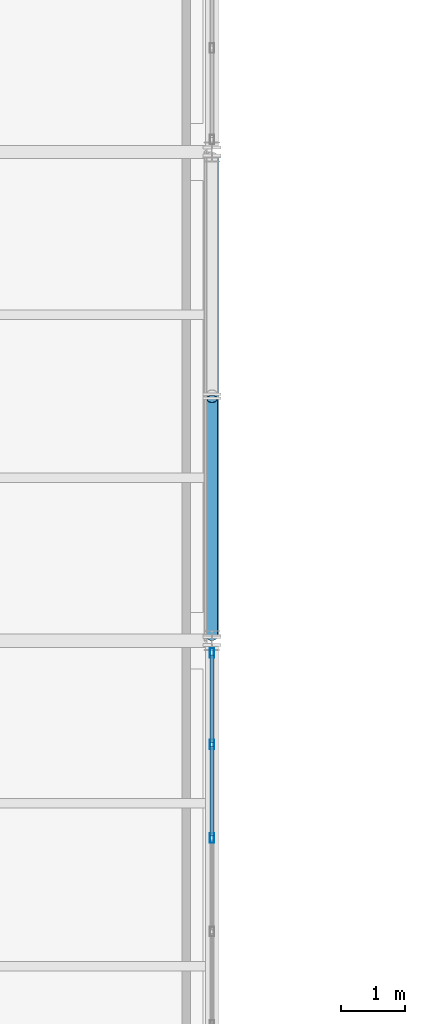
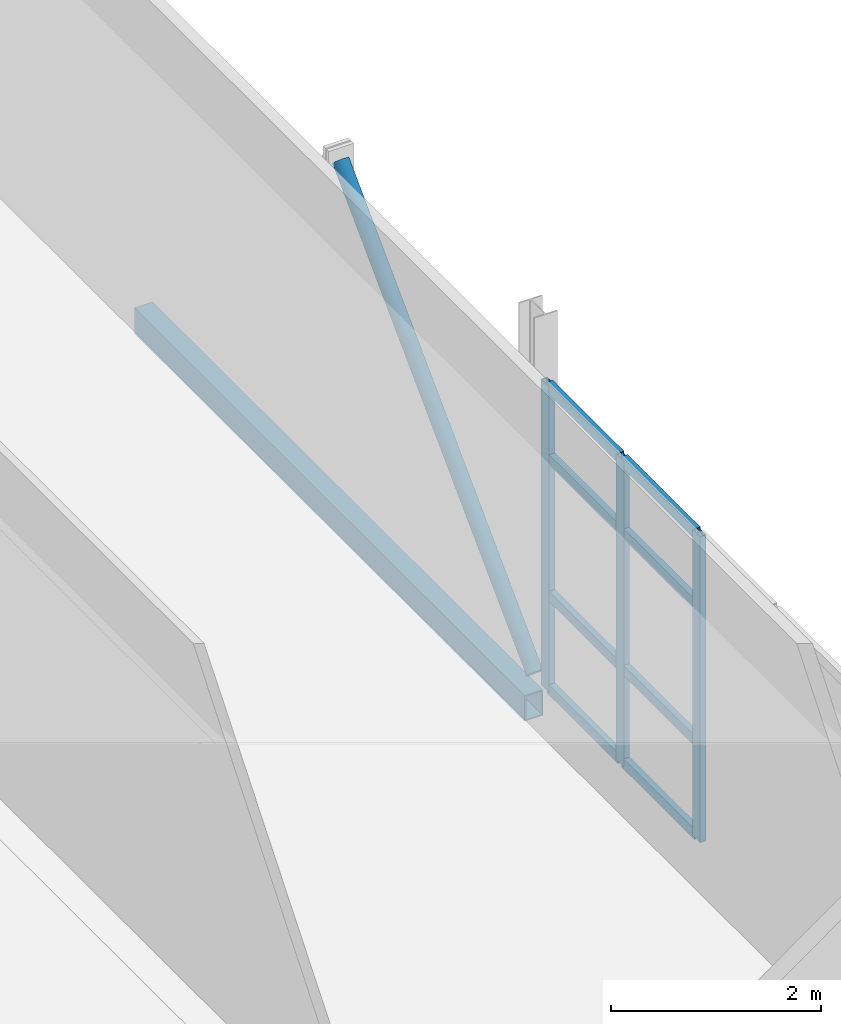
# One storey, part 60 of 96: 12 members, 1 beam, 1 element without a shape of its own.
"""IFC4 building model written with IfcOpenShell, lengths in metres."""

from ifc_helpers import new_model, si_unit, direction, frame, origin, origin_2d, place, context, subcontext, project, spatial, hollow_rectangle, hollow_circle, extrude, material, material_profile, profile_set, type_object, element, aggregate, save


model = new_model("IFC4")

# Units and contexts
model_context = context("Model", 3, precision=1e-05, world=origin(), true_north=direction((0.0, 1.0)))
body_context = subcontext(model_context, "Body", "Model", "MODEL_VIEW")
ifc_project = project(units=[si_unit("LENGTHUNIT", "METRE"), si_unit("AREAUNIT", "SQUARE_METRE"), si_unit("VOLUMEUNIT", "CUBIC_METRE"), si_unit("PLANEANGLEUNIT", "RADIAN"), si_unit("MASSUNIT", "GRAM", prefix="KILO")], contexts=[model_context])

# Site, building, storey
site_placement = place(None, origin())
site = spatial("IfcSite", under=ifc_project, at=site_placement, CompositionType="ELEMENT")
building_placement = place(site_placement, origin())
building = spatial("IfcBuilding", under=site, at=building_placement, Name="Caisbarro Railhouse Central Library", CompositionType="ELEMENT")
storey_placement = place(building_placement, frame((0.0, 0.0, 13.679931640625)))
storey = spatial("IfcBuildingStorey", under=building, at=storey_placement, Name="L03", CompositionType="ELEMENT", Elevation=13.679931640625)

# Beam
ifc_material_1 = material(Name="Steel ASTM A572 Grade 50", Category="steel")
ifc_material_profile_1 = material_profile(ifc_material_1, hollow_rectangle(XDim=0.199951171875, YDim=0.300048828125, WallThickness=0.012451171875, at=origin_2d()), Name="HSS300X200X12.5")
ifc_profile_set_1 = profile_set([ifc_material_profile_1], Name="Steel ASTM A572 Grade 50")
beam_type = type_object("IfcBeamType", Name="BM-SP02", PredefinedType="SPANDREL", material=ifc_profile_set_1)
beam_placement = place(storey_placement, frame((153.0, 76.080078125, -0.369873046875), z_axis=(0.0, 1.0, 0.0), x_axis=(-1.0, 0.0, 0.0)))
element("IfcBeam", 1, at=beam_placement, inside=storey, type_object=beam_type, Name="SP02 beam L03 #1904", PredefinedType="SPANDREL", context=body_context, shape_type="SweptSolid", body=[
    extrude(hollow_rectangle(XDim=0.199951171875, YDim=0.300048828125, WallThickness=0.012451171875, at=origin_2d()), origin(), (0.0, 0.0, 1.0), 7.43994140625),
])

# Curtain wall, members
ifc_material_2 = material(Name="Anodised architectural aluminium", Category="aluminium")
curtain_wall_type = type_object("IfcCurtainWallType", Name="CW-CW03", PredefinedType="NOTDEFINED", material=ifc_material_2)
curtain_wall_placement = place(storey_placement, origin())
curtain_wall = element("IfcCurtainWall", 2, at=curtain_wall_placement, inside=storey, type_object=curtain_wall_type, Name="CW03 curtain wall L03 #151", PredefinedType="NOTDEFINED")
ifc_material_profile_2 = material_profile(ifc_material_2, hollow_rectangle(XDim=0.06494140625, YDim=0.14990234375, WallThickness=0.00390625, at=origin_2d()), Name="ALU-MUL-65X150")
ifc_profile_set_2 = profile_set([ifc_material_profile_2], Name="Anodised architectural aluminium")
member_type_1 = type_object("IfcMemberType", Name="CWM-M02", PredefinedType="MULLION", material=ifc_profile_set_2)
member_1_placement = place(storey_placement, frame((153.0, 72.927978515625, 0.0), z_axis=(0.0, 0.0, 1.0), x_axis=(-1.0, 0.0, 0.0)))
member_1 = element("IfcMember", 3, at=member_1_placement, type_object=member_type_1, Name="CW03 mullion 4", PredefinedType="MULLION", context=body_context, shape_type="SweptSolid", body=[
    extrude(hollow_rectangle(XDim=0.06494140625, YDim=0.14990234375, WallThickness=0.00390625, at=origin_2d()), origin(), (0.0, 0.0, 1.0), 3.56005859375),
])
member_2_placement = place(storey_placement, frame((153.0, 74.384033203125, 0.0), z_axis=(0.0, 0.0, 1.0), x_axis=(-1.0, 0.0, 0.0)))
member_2 = element("IfcMember", 4, at=member_2_placement, type_object=member_type_1, Name="CW03 mullion 5", PredefinedType="MULLION", context=body_context, shape_type="SweptSolid", body=[
    extrude(hollow_rectangle(XDim=0.06494140625, YDim=0.14990234375, WallThickness=0.00390625, at=origin_2d()), origin(), (0.0, 0.0, 1.0), 3.56005859375),
])
member_3_placement = place(storey_placement, frame((153.0, 75.8076171875, 0.0), z_axis=(0.0, 0.0, 1.0), x_axis=(-1.0, 0.0, 0.0)))
member_3 = element("IfcMember", 5, at=member_3_placement, type_object=member_type_1, Name="CW03 mullion 6", PredefinedType="MULLION", context=body_context, shape_type="SweptSolid", body=[
    extrude(hollow_rectangle(XDim=0.06494140625, YDim=0.14990234375, WallThickness=0.00390625, at=origin_2d()), origin(), (0.0, 0.0, 1.0), 3.56005859375),
])
ifc_material_profile_3 = material_profile(ifc_material_2, hollow_rectangle(XDim=0.06494140625, YDim=0.1201171875, WallThickness=0.00341796875, at=origin_2d()), Name="ALU-TRN-65X120")
ifc_profile_set_3 = profile_set([ifc_material_profile_3], Name="Anodised architectural aluminium")
member_type_2 = type_object("IfcMemberType", Name="CWT-T02", PredefinedType="USERDEFINED", material=ifc_profile_set_3)
member_4_placement = place(storey_placement, frame((153.0, 72.96044921875, 0.032470703125), z_axis=(0.0, 1.0, 0.0), x_axis=(-1.0, 0.0, 0.0)))
member_4 = element("IfcMember", 6, at=member_4_placement, type_object=member_type_2, Name="CW03 transom 4.1", ObjectType="TRANSOM", PredefinedType="USERDEFINED", context=body_context, shape_type="SweptSolid", body=[
    extrude(hollow_rectangle(XDim=0.06494140625, YDim=0.1201171875, WallThickness=0.00341796875, at=origin_2d()), origin(), (0.0, 0.0, 1.0), 1.39111328125),
])
member_5_placement = place(storey_placement, frame((153.0, 72.96044921875, 1.1201171875), z_axis=(0.0, 1.0, 0.0), x_axis=(-1.0, 0.0, 0.0)))
member_5 = element("IfcMember", 7, at=member_5_placement, type_object=member_type_2, Name="CW03 transom 4.2", ObjectType="TRANSOM", PredefinedType="USERDEFINED", context=body_context, shape_type="SweptSolid", body=[
    extrude(hollow_rectangle(XDim=0.06494140625, YDim=0.1201171875, WallThickness=0.00341796875, at=origin_2d()), origin(), (0.0, 0.0, 1.0), 1.39111328125),
])
member_6_placement = place(storey_placement, frame((153.0, 72.96044921875, 2.7099609375), z_axis=(0.0, 1.0, 0.0), x_axis=(-1.0, 0.0, 0.0)))
member_6 = element("IfcMember", 8, at=member_6_placement, type_object=member_type_2, Name="CW03 transom 4.3", ObjectType="TRANSOM", PredefinedType="USERDEFINED", context=body_context, shape_type="SweptSolid", body=[
    extrude(hollow_rectangle(XDim=0.06494140625, YDim=0.1201171875, WallThickness=0.00341796875, at=origin_2d()), origin(), (0.0, 0.0, 1.0), 1.39111328125),
])
member_7_placement = place(storey_placement, frame((153.0, 72.96044921875, 3.527587890625), z_axis=(0.0, 1.0, 0.0), x_axis=(-1.0, 0.0, 0.0)))
member_7 = element("IfcMember", 9, at=member_7_placement, type_object=member_type_2, Name="CW03 transom 4.4", ObjectType="TRANSOM", PredefinedType="USERDEFINED", context=body_context, shape_type="SweptSolid", body=[
    extrude(hollow_rectangle(XDim=0.06494140625, YDim=0.1201171875, WallThickness=0.00341796875, at=origin_2d()), origin(), (0.0, 0.0, 1.0), 1.39111328125),
])
member_8_placement = place(storey_placement, frame((153.0, 74.41650390625, 0.032470703125), z_axis=(0.0, 1.0, 0.0), x_axis=(-1.0, 0.0, 0.0)))
member_8 = element("IfcMember", 10, at=member_8_placement, type_object=member_type_2, Name="CW03 transom 5.1", ObjectType="TRANSOM", PredefinedType="USERDEFINED", context=body_context, shape_type="SweptSolid", body=[
    extrude(hollow_rectangle(XDim=0.06494140625, YDim=0.1201171875, WallThickness=0.00341796875, at=origin_2d()), origin(), (0.0, 0.0, 1.0), 1.3583984375),
])
member_9_placement = place(storey_placement, frame((153.0, 74.41650390625, 1.1201171875), z_axis=(0.0, 1.0, 0.0), x_axis=(-1.0, 0.0, 0.0)))
member_9 = element("IfcMember", 11, at=member_9_placement, type_object=member_type_2, Name="CW03 transom 5.2", ObjectType="TRANSOM", PredefinedType="USERDEFINED", context=body_context, shape_type="SweptSolid", body=[
    extrude(hollow_rectangle(XDim=0.06494140625, YDim=0.1201171875, WallThickness=0.00341796875, at=origin_2d()), origin(), (0.0, 0.0, 1.0), 1.3583984375),
])
member_10_placement = place(storey_placement, frame((153.0, 74.41650390625, 2.7099609375), z_axis=(0.0, 1.0, 0.0), x_axis=(-1.0, 0.0, 0.0)))
member_10 = element("IfcMember", 12, at=member_10_placement, type_object=member_type_2, Name="CW03 transom 5.3", ObjectType="TRANSOM", PredefinedType="USERDEFINED", context=body_context, shape_type="SweptSolid", body=[
    extrude(hollow_rectangle(XDim=0.06494140625, YDim=0.1201171875, WallThickness=0.00341796875, at=origin_2d()), origin(), (0.0, 0.0, 1.0), 1.3583984375),
])
member_11_placement = place(storey_placement, frame((153.0, 74.41650390625, 3.527587890625), z_axis=(0.0, 1.0, 0.0), x_axis=(-1.0, 0.0, 0.0)))
member_11 = element("IfcMember", 13, at=member_11_placement, type_object=member_type_2, Name="CW03 transom 5.4", ObjectType="TRANSOM", PredefinedType="USERDEFINED", context=body_context, shape_type="SweptSolid", body=[
    extrude(hollow_rectangle(XDim=0.06494140625, YDim=0.1201171875, WallThickness=0.00341796875, at=origin_2d()), origin(), (0.0, 0.0, 1.0), 1.3583984375),
])
aggregate(curtain_wall, [member_1, member_2, member_3, member_4, member_5, member_6, member_7, member_8, member_9, member_10, member_11])

# Member
ifc_material_profile_4 = material_profile(ifc_material_1, hollow_circle(Radius=0.084228515625, WallThickness=0.008056640625, at=origin_2d()), Name="CHS168.3X8")
ifc_profile_set_4 = profile_set([ifc_material_profile_4], Name="Steel ASTM A572 Grade 50")
member_type_3 = type_object("IfcMemberType", Name="MEM-BR04", PredefinedType="BRACE", material=ifc_profile_set_4)
member_12_placement = place(storey_placement, frame((153.0, 76.06005859375, 0.02001953125), z_axis=(0.0, 0.705196384846, 0.709012030082), x_axis=(-1.0, 0.0, 0.0)))
element("IfcMember", 14, at=member_12_placement, inside=storey, type_object=member_type_3, Name="BR04 chevron brace X153 L03.1", PredefinedType="BRACE", context=body_context, shape_type="SweptSolid", body=[
    extrude(hollow_circle(Radius=0.084228515625, WallThickness=0.008056640625, at=origin_2d()), origin(), (0.0, 0.0, 1.0), 5.24658203125),
])

save(model, "model.ifc")
